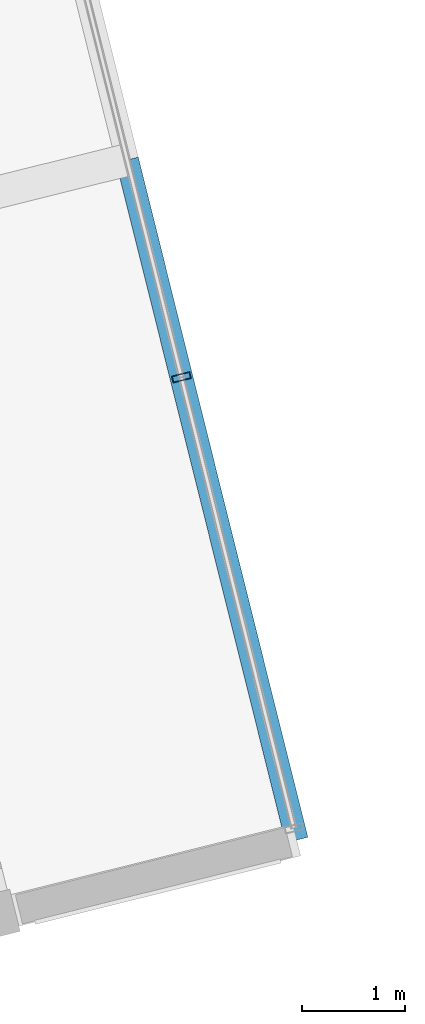
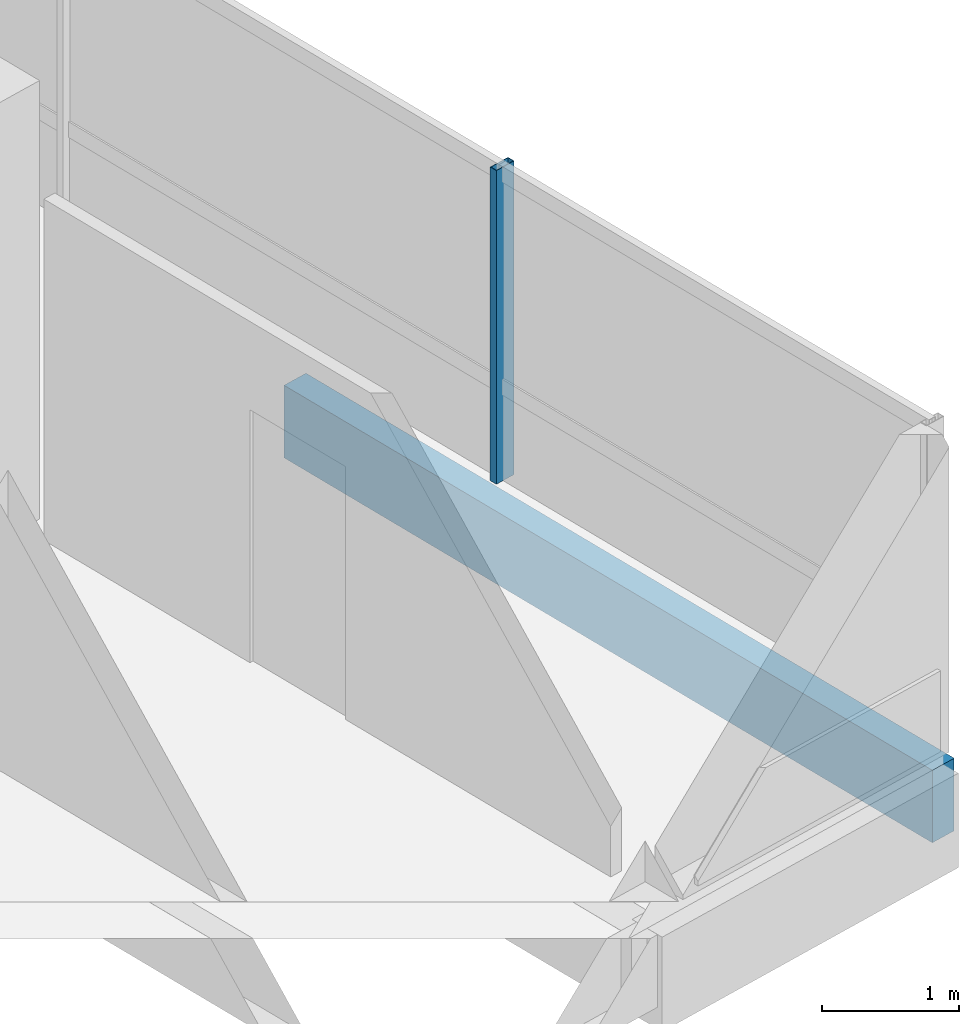
# One storey, part 12 of 28: 1 beam, 1 member, 1 element without a shape of its own.
"""IFC4 building model written with IfcOpenShell, lengths in metres."""

from ifc_helpers import new_model, si_unit, direction, frame, origin, origin_2d, place, context, subcontext, project, spatial, rectangle, hollow_rectangle, extrude, material, layer, layer_set, material_profile, profile_set, type_object, element, aggregate, save


model = new_model("IFC4")

# Units and contexts
model_context = context("Model", 3, precision=1e-05, world=origin(), true_north=direction((0.0, 1.0)))
body_context = subcontext(model_context, "Body", "Model", "MODEL_VIEW")
ifc_project = project(units=[si_unit("LENGTHUNIT", "METRE"), si_unit("AREAUNIT", "SQUARE_METRE"), si_unit("VOLUMEUNIT", "CUBIC_METRE"), si_unit("PLANEANGLEUNIT", "RADIAN"), si_unit("MASSUNIT", "GRAM", prefix="KILO")], contexts=[model_context])

# Site, building, storey
site_placement = place(None, origin())
site = spatial("IfcSite", under=ifc_project, at=site_placement, CompositionType="ELEMENT")
building_placement = place(site_placement, origin())
building = spatial("IfcBuilding", under=site, at=building_placement, Name="Meriwether Solvik Hall", CompositionType="ELEMENT")
storey_placement = place(building_placement, frame((0.0, 0.0, 30.0)))
storey = spatial("IfcBuildingStorey", under=building, at=storey_placement, Name="L07", CompositionType="ELEMENT", Elevation=30.0)

# Beam
ifc_material_1 = material(Name="Glulam Douglas-Fir 24F-V8 GL28h", Category="wood")
ifc_material_profile_1 = material_profile(ifc_material_1, rectangle(XDim=0.221923828125, YDim=0.64501953125, at=origin_2d()), Name="GLB-222X645")
ifc_profile_set_1 = profile_set([ifc_material_profile_1], Name="Glulam Douglas-Fir 24F-V8 GL28h")
beam_type = type_object("IfcBeamType", Name="BM-GL-222X645", PredefinedType="SPANDREL", material=ifc_profile_set_1)
beam_placement = place(storey_placement, frame((106.441650390625, 50.635009765625, -0.54248046875), z_axis=(-0.2419526798, 0.970288050394, 0.0), x_axis=(-0.970288050394, -0.2419526798, 0.0)))
element("IfcBeam", 1, at=beam_placement, inside=storey, type_object=beam_type, Name="Shard Edge Spandrel 1 (L07)", PredefinedType="SPANDREL", context=body_context, shape_type="SweptSolid", body=[
    extrude(rectangle(XDim=0.221923828125, YDim=0.64501953125, at=origin_2d()), origin(), (0.0, 0.0, 1.0), 6.800048828125),
])

# Curtain wall, member
ifc_material_2 = material(Name="Thermally Broken Anodised Aluminium 6063-T6 and Low-E Glass", Category="aluminium")
ifc_layer = layer(ifc_material_2, 0.179931640625)
ifc_layer_set = layer_set([ifc_layer], Name="Thermally Broken Anodised Aluminium 6063-T6 and Low-E Glass")
curtain_wall_type = type_object("IfcCurtainWallType", Name="CW-UNIT-F", PredefinedType="USERDEFINED", material=ifc_layer_set)
curtain_wall_placement = place(storey_placement, origin())
curtain_wall = element("IfcCurtainWall", 2, at=curtain_wall_placement, inside=storey, type_object=curtain_wall_type, Name="Curtain Wall E1_B0 (L07)", ObjectType="UNITISED CURTAIN WALL", PredefinedType="USERDEFINED")
ifc_material_3 = material(Name="Anodised Aluminium 6063-T6", Category="aluminium")
ifc_material_profile_2 = material_profile(ifc_material_3, hollow_rectangle(XDim=0.06494140625, YDim=0.179931640625, WallThickness=0.00439453125, at=origin_2d()), Name="CWM-65X180")
ifc_profile_set_2 = profile_set([ifc_material_profile_2], Name="Anodised Aluminium 6063-T6")
member_type = type_object("IfcMemberType", Name="CW-MUL-65X180", PredefinedType="MULLION", material=ifc_profile_set_2)
member_placement = place(storey_placement, frame((105.322265625, 55.124267578125, 0.0), z_axis=(0.0, 0.0, 1.0), x_axis=(0.241921931502, -0.970295717325, 0.0)))
member = element("IfcMember", 3, at=member_placement, type_object=member_type, Name="Curtain Wall Mullion 3", PredefinedType="MULLION", context=body_context, shape_type="SweptSolid", body=[
    extrude(hollow_rectangle(XDim=0.06494140625, YDim=0.179931640625, WallThickness=0.00439453125, at=origin_2d()), origin(), (0.0, 0.0, 1.0), 2.7900390625),
])
aggregate(curtain_wall, [member])

save(model, "model.ifc")
